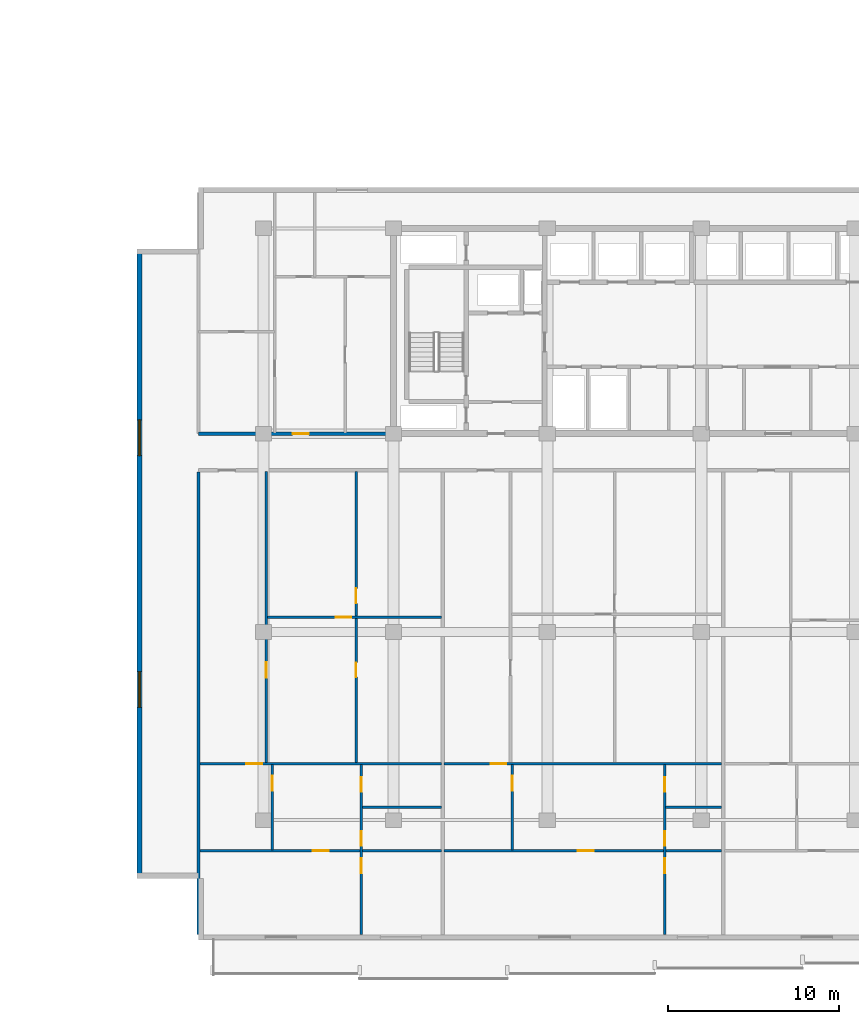
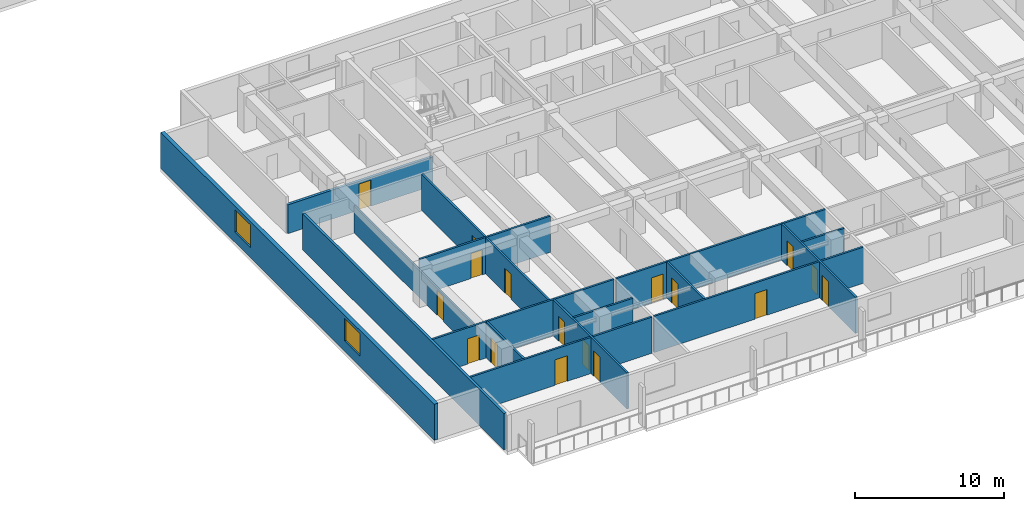
# One storey, part 4 of 23: 17 doors, 16 walls, 2 windows, 19 openings.
"""IFC4 building model written with IfcOpenShell, lengths in metres."""

from ifc_helpers import new_model, si_unit, direction, frame, frame_2d, origin, place, context, subcontext, project, spatial, rectangle, extrude, material, layer, layer_set, type_object, element, fill, save


model = new_model("IFC4")

# Units and contexts
model_context = context("Model", 3, precision=1e-05, world=origin(), true_north=direction((0.0, 1.0)))
body_context = subcontext(model_context, "Body", "Model", "MODEL_VIEW")
ifc_project = project(units=[si_unit("LENGTHUNIT", "METRE"), si_unit("AREAUNIT", "SQUARE_METRE"), si_unit("VOLUMEUNIT", "CUBIC_METRE"), si_unit("PLANEANGLEUNIT", "RADIAN"), si_unit("MASSUNIT", "GRAM", prefix="KILO")], contexts=[model_context])

# Site, building, storey
site_placement = place(None, origin())
site = spatial("IfcSite", under=ifc_project, at=site_placement, CompositionType="ELEMENT")
building_placement = place(site_placement, origin())
building = spatial("IfcBuilding", under=site, at=building_placement, Name="Korimba Cascade Residences", CompositionType="ELEMENT")
storey_placement = place(building_placement, frame((0.0, 0.0, 37.0)))
storey = spatial("IfcBuildingStorey", under=building, at=storey_placement, Name="L09", CompositionType="ELEMENT", Elevation=37.0)

# Wall, openings, windows
ifc_material_1 = material(Name="Precast concrete C40/50", Category="concrete")
ifc_layer_1 = layer(ifc_material_1, 0.300048828125)
ifc_layer_set_1 = layer_set([ifc_layer_1], Name="Precast concrete C40/50")
wall_type_1 = type_object("IfcWallType", Name="EW-STONE-300", PredefinedType="STANDARD", material=ifc_layer_set_1)
wall_1_placement = place(storey_placement, frame((67.25, 29.199951171875, 0.0), z_axis=(0.0, 0.0, 1.0), x_axis=(0.0, -1.0, 0.0)))
wall_1 = element("IfcWall", 1, at=wall_1_placement, inside=storey, type_object=wall_type_1, Name="L09 T2 Perimeter Stone Wall E09", PredefinedType="STANDARD", context=body_context, shape_type="SweptSolid", body=[
    extrude(rectangle(XDim=36.800048828125, YDim=0.300048828125, at=frame_2d((18.39990234375, 0.0))), origin(), (0.0, 0.0, 1.0), 2.969970703125),
])
opening_1_placement = place(wall_1_placement, frame((9.989990234375, 0.0, 0.85009765625)))
opening_1 = element("IfcOpeningElement", 2, at=opening_1_placement, cuts=wall_1, Name="Opening W-03", PredefinedType="OPENING", context=body_context, shape_type="SweptSolid", body=[
    extrude(rectangle(XDim=2.10009765625, YDim=1.85009765625, at=frame_2d((1.050048828125, 0.925048828125))), frame((0.0, 0.16015625, 0.0), z_axis=(0.0, -1.0, 0.0), x_axis=(1.0, 0.0, 0.0)), (0.0, 0.0, 1.0), 0.320068359375),
])
opening_2_placement = place(wall_1_placement, frame((24.7099609375, 0.0, 0.85009765625)))
opening_2 = element("IfcOpeningElement", 3, at=opening_2_placement, cuts=wall_1, Name="Opening W-03", PredefinedType="OPENING", context=body_context, shape_type="SweptSolid", body=[
    extrude(rectangle(XDim=2.10009765625, YDim=1.85009765625, at=frame_2d((1.050048828125, 0.925048828125))), frame((0.0, 0.16015625, 0.0), z_axis=(0.0, -1.0, 0.0), x_axis=(1.0, 0.0, 0.0)), (0.0, 0.0, 1.0), 0.320068359375),
])
ifc_material_2 = material(Name="Double-Glazed Aluminium Window", Category="aluminium")
window_type = type_object("IfcWindowType", Name="WIN-CRN-2100", PartitioningType="DOUBLE_PANEL_HORIZONTAL", PredefinedType="WINDOW", material=ifc_material_2)
window_1_placement = place(opening_1_placement, origin())
window_1 = element("IfcWindow", 4, at=window_1_placement, inside=storey, type_object=window_type, Name="L09 T2 End View Window 9.1", OverallHeight=1.85009765625, OverallWidth=2.10009765625, PartitioningType="DOUBLE_PANEL_HORIZONTAL", PredefinedType="WINDOW", context=body_context, shape_type="SweptSolid", body=[
    extrude(rectangle(XDim=2.10009765625, YDim=1.85009765625, at=frame_2d((1.050048828125, 0.925048828125))), frame((0.0, 0.030029296875, 0.0), z_axis=(0.0, -1.0, 0.0), x_axis=(1.0, 0.0, 0.0)), (0.0, 0.0, 1.0), 0.06005859375),
])
fill(opening_1, window_1)
window_2_placement = place(opening_2_placement, origin())
window_2 = element("IfcWindow", 5, at=window_2_placement, inside=storey, type_object=window_type, Name="L09 T2 End View Window 9.2", OverallHeight=1.85009765625, OverallWidth=2.10009765625, PartitioningType="DOUBLE_PANEL_HORIZONTAL", PredefinedType="WINDOW", context=body_context, shape_type="SweptSolid", body=[
    extrude(rectangle(XDim=2.10009765625, YDim=1.85009765625, at=frame_2d((1.050048828125, 0.925048828125))), frame((0.0, 0.030029296875, 0.0), z_axis=(0.0, -1.0, 0.0), x_axis=(1.0, 0.0, 0.0)), (0.0, 0.0, 1.0), 0.06005859375),
])
fill(opening_2, window_2)

# Wall, opening, door
ifc_layer_2 = layer(ifc_material_1, 0.199951171875)
ifc_layer_set_2 = layer_set([ifc_layer_2], Name="Precast concrete C40/50")
wall_type_2 = type_object("IfcWallType", Name="WAL-IT-200", PredefinedType="PARTITIONING", material=ifc_layer_set_2)
wall_2_placement = place(storey_placement, frame((70.699951171875, 18.39990234375, 0.0), z_axis=(0.0, 0.0, 1.0), x_axis=(1.0, 0.0, 0.0)))
wall_2 = element("IfcWall", 6, at=wall_2_placement, inside=storey, type_object=wall_type_2, Name="L09 Partition Wall WAL-L09-T2-FW-S", PredefinedType="PARTITIONING", context=body_context, shape_type="SweptSolid", body=[
    extrude(rectangle(XDim=11.25, YDim=0.199951171875, at=frame_2d((5.625, 0.0))), origin(), (0.0, 0.0, 1.0), 2.3701171875),
])
opening_3_placement = place(wall_2_placement, frame((5.50634765625, 0.0, 0.0)))
opening_3 = element("IfcOpeningElement", 7, at=opening_3_placement, cuts=wall_2, Name="Opening D-UN1", PredefinedType="OPENING", context=body_context, shape_type="SweptSolid", body=[
    extrude(rectangle(XDim=0.949951171875, YDim=2.14990234375, at=frame_2d((0.47509765625, 1.074951171875))), frame((0.0, 0.10986328125, 0.0), z_axis=(0.0, -1.0, 0.0), x_axis=(1.0, 0.0, 0.0)), (0.0, 0.0, 1.0), 0.219970703125),
])
ifc_material_3 = material(Name="Fire-Rated Hardwood Apartment Entrance Door", Category="wood")
door_type_1 = type_object("IfcDoorType", Name="DR-FD60-950", OperationType="NOTDEFINED", PredefinedType="DOOR", material=ifc_material_3)
door_1_placement = place(opening_3_placement, origin())
door_1 = element("IfcDoor", 8, at=door_1_placement, inside=storey, type_object=door_type_1, Name="L09-T2-FW Entrance Door", OperationType="SINGLE_SWING_RIGHT", OverallHeight=2.14990234375, OverallWidth=0.949951171875, PredefinedType="DOOR", context=body_context, shape_type="SweptSolid", body=[
    extrude(rectangle(XDim=0.949951171875, YDim=2.14990234375, at=frame_2d((0.47509765625, 1.074951171875))), frame((0.0, 0.02490234375, 0.0), z_axis=(0.0, -1.0, 0.0), x_axis=(1.0, 0.0, 0.0)), (0.0, 0.0, 1.0), 0.050048828125),
])
fill(opening_3, door_1)

# Wall
wall_3_placement = place(storey_placement, frame((70.699951171875, -10.89990234375, 0.0), z_axis=(0.0, 0.0, 1.0), x_axis=(0.0, 1.0, 0.0)))
element("IfcWall", 9, at=wall_3_placement, inside=storey, type_object=wall_type_2, Name="L09 Partition Wall WAL-L09-T2-BNDWL", PredefinedType="PARTITIONING", context=body_context, shape_type="SweptSolid", body=[
    extrude(rectangle(XDim=27.06982421875, YDim=0.199951171875, at=frame_2d((13.534912109375, 0.0))), origin(), (0.0, 0.0, 1.0), 2.969970703125),
])

# Wall, openings, doors
ifc_material_4 = material(Name="Insulated Acoustic Stud Partition", Category="gypsum")
ifc_layer_3 = layer(ifc_material_4, 0.14990234375)
ifc_layer_set_3 = layer_set([ifc_layer_3], Name="Insulated Acoustic Stud Partition")
wall_type_3 = type_object("IfcWallType", Name="WAL-PART-150", PredefinedType="PARTITIONING", material=ifc_layer_set_3)
wall_4_placement = place(storey_placement, frame((79.9130859375, -0.860107421875, 0.0), z_axis=(0.0, 0.0, 1.0), x_axis=(0.0, 1.0, 0.0)))
wall_4 = element("IfcWall", 10, at=wall_4_placement, inside=storey, type_object=wall_type_3, Name="L09 Partition Wall WAL-L09-T2-U01-FMV", PredefinedType="PARTITIONING", context=body_context, shape_type="SweptSolid", body=[
    extrude(rectangle(XDim=17.050048828125, YDim=0.14990234375, at=frame_2d((8.52490234375, 0.0))), origin(), (0.0, 0.0, 1.0), 2.969970703125),
])
opening_4_placement = place(wall_4_placement, frame((5.026123046875, 0.0, 0.0)))
opening_4 = element("IfcOpeningElement", 11, at=opening_4_placement, cuts=wall_4, Name="Opening D-BT1", PredefinedType="OPENING", context=body_context, shape_type="SweptSolid", body=[
    extrude(rectangle(XDim=0.840087890625, YDim=2.0400390625, at=frame_2d((0.419921875, 1.02001953125))), frame((0.0, 0.0849609375, 0.0), z_axis=(0.0, -1.0, 0.0), x_axis=(1.0, 0.0, 0.0)), (0.0, 0.0, 1.0), 0.169921875),
])
opening_5_placement = place(wall_4_placement, frame((9.338623046875, 0.0, 0.0)))
opening_5 = element("IfcOpeningElement", 12, at=opening_5_placement, cuts=wall_4, Name="Opening D-IN2", PredefinedType="OPENING", context=body_context, shape_type="SweptSolid", body=[
    extrude(rectangle(XDim=0.8798828125, YDim=2.06005859375, at=frame_2d((0.43994140625, 1.030029296875))), frame((0.0, 0.0849609375, 0.0), z_axis=(0.0, -1.0, 0.0), x_axis=(1.0, 0.0, 0.0)), (0.0, 0.0, 1.0), 0.169921875),
])
ifc_material_5 = material(Name="Moisture-Resistant Bathroom Timber Door", Category="wood")
door_type_2 = type_object("IfcDoorType", Name="DR-INT-850", OperationType="NOTDEFINED", PredefinedType="DOOR", material=ifc_material_5)
door_2_placement = place(opening_4_placement, origin())
door_2 = element("IfcDoor", 13, at=door_2_placement, inside=storey, type_object=door_type_2, Name="L09-T2-U01 Wardrobe Door", OperationType="SINGLE_SWING_LEFT", OverallHeight=2.0400390625, OverallWidth=0.840087890625, PredefinedType="DOOR", context=body_context, shape_type="SweptSolid", body=[
    extrude(rectangle(XDim=0.840087890625, YDim=2.0400390625, at=frame_2d((0.419921875, 1.02001953125))), frame((0.0, 0.02490234375, 0.0), z_axis=(0.0, -1.0, 0.0), x_axis=(1.0, 0.0, 0.0)), (0.0, 0.0, 1.0), 0.050048828125),
])
fill(opening_4, door_2)
ifc_material_6 = material(Name="Acoustic Timber Bedroom Door", Category="wood")
door_type_3 = type_object("IfcDoorType", Name="DR-INT-880", OperationType="NOTDEFINED", PredefinedType="DOOR", material=ifc_material_6)
door_3_placement = place(opening_5_placement, origin())
door_3 = element("IfcDoor", 14, at=door_3_placement, inside=storey, type_object=door_type_3, Name="L09-T2-U01 Music Lounge Door", OperationType="SINGLE_SWING_RIGHT", OverallHeight=2.06005859375, OverallWidth=0.8798828125, PredefinedType="DOOR", context=body_context, shape_type="SweptSolid", body=[
    extrude(rectangle(XDim=0.8798828125, YDim=2.06005859375, at=frame_2d((0.43994140625, 1.030029296875))), frame((0.0, 0.02490234375, 0.0), z_axis=(0.0, -1.0, 0.0), x_axis=(1.0, 0.0, 0.0)), (0.0, 0.0, 1.0), 0.050048828125),
])
fill(opening_5, door_3)

# Wall, opening, door
wall_5_placement = place(storey_placement, frame((74.72998046875, 7.6650390625, 0.0), z_axis=(0.0, 0.0, 1.0), x_axis=(1.0, 0.0, 0.0)))
wall_5 = element("IfcWall", 15, at=wall_5_placement, inside=storey, type_object=wall_type_3, Name="L09 Partition Wall WAL-L09-T2-U01-FMH", PredefinedType="PARTITIONING", context=body_context, shape_type="SweptSolid", body=[
    extrude(rectangle(XDim=10.166015625, YDim=0.14990234375, at=frame_2d((5.0830078125, 0.0))), origin(), (0.0, 0.0, 1.0), 2.969970703125),
])
opening_6_placement = place(wall_5_placement, frame((4.00830078125, 0.0, 0.0)))
opening_6 = element("IfcOpeningElement", 16, at=opening_6_placement, cuts=wall_5, Name="Opening D-IN2", PredefinedType="OPENING", context=body_context, shape_type="SweptSolid", body=[
    extrude(rectangle(XDim=0.8798828125, YDim=2.06005859375, at=frame_2d((0.43994140625, 1.030029296875))), frame((0.0, 0.0849609375, 0.0), z_axis=(0.0, -1.0, 0.0), x_axis=(1.0, 0.0, 0.0)), (0.0, 0.0, 1.0), 0.169921875),
])
door_4_placement = place(opening_6_placement, origin())
door_4 = element("IfcDoor", 17, at=door_4_placement, inside=storey, type_object=door_type_3, Name="L09-T2-U01 Library Salon Door", OperationType="SINGLE_SWING_LEFT", OverallHeight=2.06005859375, OverallWidth=0.8798828125, PredefinedType="DOOR", context=body_context, shape_type="SweptSolid", body=[
    extrude(rectangle(XDim=0.8798828125, YDim=2.06005859375, at=frame_2d((0.43994140625, 1.030029296875))), frame((0.0, 0.02490234375, 0.0), z_axis=(0.0, -1.0, 0.0), x_axis=(1.0, 0.0, 0.0)), (0.0, 0.0, 1.0), 0.050048828125),
])
fill(opening_6, door_4)

wall_6_placement = place(storey_placement, frame((74.669921875, -0.860107421875, 0.0), z_axis=(0.0, 0.0, 1.0), x_axis=(0.0, 1.0, 0.0)))
wall_6 = element("IfcWall", 18, at=wall_6_placement, inside=storey, type_object=wall_type_3, Name="L09 Partition Wall WAL-L09-T2-U01-FV", PredefinedType="PARTITIONING", context=body_context, shape_type="SweptSolid", body=[
    extrude(rectangle(XDim=17.050048828125, YDim=0.14990234375, at=frame_2d((8.52490234375, 0.0))), origin(), (0.0, 0.0, 1.0), 2.219970703125),
])
opening_7_placement = place(wall_6_placement, frame((4.999755859375, 0.0, 0.0)))
opening_7 = element("IfcOpeningElement", 19, at=opening_7_placement, cuts=wall_6, Name="Opening D-IN2", PredefinedType="OPENING", context=body_context, shape_type="SweptSolid", body=[
    extrude(rectangle(XDim=0.8798828125, YDim=2.06005859375, at=frame_2d((0.43994140625, 1.030029296875))), frame((0.0, 0.0849609375, 0.0), z_axis=(0.0, -1.0, 0.0), x_axis=(1.0, 0.0, 0.0)), (0.0, 0.0, 1.0), 0.169921875),
])
door_5_placement = place(opening_7_placement, origin())
door_5 = element("IfcDoor", 20, at=door_5_placement, inside=storey, type_object=door_type_3, Name="L09-T2-U01 Media Lounge Door", OperationType="SINGLE_SWING_RIGHT", OverallHeight=2.06005859375, OverallWidth=0.8798828125, PredefinedType="DOOR", context=body_context, shape_type="SweptSolid", body=[
    extrude(rectangle(XDim=0.8798828125, YDim=2.06005859375, at=frame_2d((0.43994140625, 1.030029296875))), frame((0.0, 0.02490234375, 0.0), z_axis=(0.0, -1.0, 0.0), x_axis=(1.0, 0.0, 0.0)), (0.0, 0.0, 1.0), 0.050048828125),
])
fill(opening_7, door_5)

wall_7_placement = place(storey_placement, frame((75.02001953125, -5.93994140625, 0.0), z_axis=(0.0, 0.0, 1.0), x_axis=(0.0, 1.0, 0.0)))
wall_7 = element("IfcWall", 21, at=wall_7_placement, inside=storey, type_object=wall_type_3, Name="L09 Partition Wall WAL-L09-T2-U01-VDIN", PredefinedType="PARTITIONING", context=body_context, shape_type="SweptSolid", body=[
    extrude(rectangle(XDim=5.0, YDim=0.14990234375, at=frame_2d((2.5, 0.0))), origin(), (0.0, 0.0, 1.0), 2.969970703125),
])
opening_8_placement = place(wall_7_placement, frame((3.454345703125, 0.0, 0.0)))
opening_8 = element("IfcOpeningElement", 22, at=opening_8_placement, cuts=wall_7, Name="Opening D-IN2", PredefinedType="OPENING", context=body_context, shape_type="SweptSolid", body=[
    extrude(rectangle(XDim=0.8798828125, YDim=2.06005859375, at=frame_2d((0.43994140625, 1.030029296875))), frame((0.0, 0.0849609375, 0.0), z_axis=(0.0, -1.0, 0.0), x_axis=(1.0, 0.0, 0.0)), (0.0, 0.0, 1.0), 0.169921875),
])
door_6_placement = place(opening_8_placement, origin())
door_6 = element("IfcDoor", 23, at=door_6_placement, inside=storey, type_object=door_type_3, Name="L09-T2-U01 Dining Room Door", OperationType="SINGLE_SWING_LEFT", OverallHeight=2.06005859375, OverallWidth=0.8798828125, PredefinedType="DOOR", context=body_context, shape_type="SweptSolid", body=[
    extrude(rectangle(XDim=0.8798828125, YDim=2.06005859375, at=frame_2d((0.43994140625, 1.030029296875))), frame((0.0, 0.02490234375, 0.0), z_axis=(0.0, -1.0, 0.0), x_axis=(1.0, 0.0, 0.0)), (0.0, 0.0, 1.0), 0.050048828125),
])
fill(opening_8, door_6)

# Wall
wall_8_placement = place(storey_placement, frame((80.280029296875, -3.43994140625, 0.0), z_axis=(0.0, 0.0, 1.0), x_axis=(1.0, 0.0, 0.0)))
element("IfcWall", 24, at=wall_8_placement, inside=storey, type_object=wall_type_3, Name="L09 Partition Wall WAL-L09-T2-U01-BLDIV", PredefinedType="PARTITIONING", context=body_context, shape_type="SweptSolid", body=[
    extrude(rectangle(XDim=4.615966796875, YDim=0.14990234375, at=frame_2d((2.30810546875, 0.0))), origin(), (0.0, 0.0, 1.0), 2.969970703125),
])

# Wall, openings, doors
wall_9_placement = place(storey_placement, frame((80.219970703125, -10.89990234375, 0.0), z_axis=(0.0, 0.0, 1.0), x_axis=(0.0, 1.0, 0.0)))
wall_9 = element("IfcWall", 25, at=wall_9_placement, inside=storey, type_object=wall_type_3, Name="L09 Partition Wall WAL-L09-T2-U01-V1", PredefinedType="PARTITIONING", context=body_context, shape_type="SweptSolid", body=[
    extrude(rectangle(XDim=9.9599609375, YDim=0.14990234375, at=frame_2d((4.97998046875, 0.0))), origin(), (0.0, 0.0, 1.0), 2.969970703125),
])
opening_9_placement = place(wall_9_placement, frame((5.199951171875, 0.0, 0.0)))
opening_9 = element("IfcOpeningElement", 26, at=opening_9_placement, cuts=wall_9, Name="Opening D-BT1", PredefinedType="OPENING", context=body_context, shape_type="SweptSolid", body=[
    extrude(rectangle(XDim=0.840087890625, YDim=2.0400390625, at=frame_2d((0.419921875, 1.02001953125))), frame((0.0, 0.0849609375, 0.0), z_axis=(0.0, -1.0, 0.0), x_axis=(1.0, 0.0, 0.0)), (0.0, 0.0, 1.0), 0.169921875),
])
opening_10_placement = place(wall_9_placement, frame((8.359130859375, 0.0, 0.0)))
opening_10 = element("IfcOpeningElement", 27, at=opening_10_placement, cuts=wall_9, Name="Opening D-BT1", PredefinedType="OPENING", context=body_context, shape_type="SweptSolid", body=[
    extrude(rectangle(XDim=0.840087890625, YDim=2.0400390625, at=frame_2d((0.419921875, 1.02001953125))), frame((0.0, 0.0849609375, 0.0), z_axis=(0.0, -1.0, 0.0), x_axis=(1.0, 0.0, 0.0)), (0.0, 0.0, 1.0), 0.169921875),
])
opening_11_placement = place(wall_9_placement, frame((3.60009765625, 0.0, 0.0)))
opening_11 = element("IfcOpeningElement", 28, at=opening_11_placement, cuts=wall_9, Name="Opening D-IN2", PredefinedType="OPENING", context=body_context, shape_type="SweptSolid", body=[
    extrude(rectangle(XDim=0.8798828125, YDim=2.06005859375, at=frame_2d((0.43994140625, 1.030029296875))), frame((0.0, 0.0849609375, 0.0), z_axis=(0.0, -1.0, 0.0), x_axis=(1.0, 0.0, 0.0)), (0.0, 0.0, 1.0), 0.169921875),
])
door_7_placement = place(opening_9_placement, origin())
door_7 = element("IfcDoor", 29, at=door_7_placement, inside=storey, type_object=door_type_2, Name="L09-T2-U01 Bathroom Door", OperationType="SINGLE_SWING_RIGHT", OverallHeight=2.0400390625, OverallWidth=0.840087890625, PredefinedType="DOOR", context=body_context, shape_type="SweptSolid", body=[
    extrude(rectangle(XDim=0.840087890625, YDim=2.0400390625, at=frame_2d((0.419921875, 1.02001953125))), frame((0.0, 0.02490234375, 0.0), z_axis=(0.0, -1.0, 0.0), x_axis=(1.0, 0.0, 0.0)), (0.0, 0.0, 1.0), 0.050048828125),
])
fill(opening_9, door_7)
door_8_placement = place(opening_10_placement, origin())
door_8 = element("IfcDoor", 30, at=door_8_placement, inside=storey, type_object=door_type_2, Name="L09-T2-U01 Laundry Door", OperationType="SINGLE_SWING_LEFT", OverallHeight=2.0400390625, OverallWidth=0.840087890625, PredefinedType="DOOR", context=body_context, shape_type="SweptSolid", body=[
    extrude(rectangle(XDim=0.840087890625, YDim=2.0400390625, at=frame_2d((0.419921875, 1.02001953125))), frame((0.0, 0.02490234375, 0.0), z_axis=(0.0, -1.0, 0.0), x_axis=(1.0, 0.0, 0.0)), (0.0, 0.0, 1.0), 0.050048828125),
])
fill(opening_10, door_8)
door_9_placement = place(opening_11_placement, origin())
door_9 = element("IfcDoor", 31, at=door_9_placement, inside=storey, type_object=door_type_3, Name="L09-T2-U01 Bedroom 1 Door", OperationType="SINGLE_SWING_RIGHT", OverallHeight=2.06005859375, OverallWidth=0.8798828125, PredefinedType="DOOR", context=body_context, shape_type="SweptSolid", body=[
    extrude(rectangle(XDim=0.8798828125, YDim=2.06005859375, at=frame_2d((0.43994140625, 1.030029296875))), frame((0.0, 0.02490234375, 0.0), z_axis=(0.0, -1.0, 0.0), x_axis=(1.0, 0.0, 0.0)), (0.0, 0.0, 1.0), 0.050048828125),
])
fill(opening_11, door_9)

# Wall, opening, door
wall_10_placement = place(storey_placement, frame((70.780029296875, -0.89990234375, 0.0), z_axis=(0.0, 0.0, 1.0), x_axis=(1.0, 0.0, 0.0)))
wall_10 = element("IfcWall", 32, at=wall_10_placement, inside=storey, type_object=wall_type_3, Name="L09 Partition Wall WAL-L09-T2-U01-MW", PredefinedType="PARTITIONING", context=body_context, shape_type="SweptSolid", body=[
    extrude(rectangle(XDim=14.115966796875, YDim=0.14990234375, at=frame_2d((7.05810546875, 0.0))), origin(), (0.0, 0.0, 1.0), 2.969970703125),
])
opening_12_placement = place(wall_10_placement, frame((2.719970703125, 0.0, 0.0)))
opening_12 = element("IfcOpeningElement", 33, at=opening_12_placement, cuts=wall_10, Name="Opening D-IN1", PredefinedType="OPENING", context=body_context, shape_type="SweptSolid", body=[
    extrude(rectangle(XDim=0.919921875, YDim=2.080078125, at=frame_2d((0.4599609375, 1.0400390625))), frame((0.0, 0.0849609375, 0.0), z_axis=(0.0, -1.0, 0.0), x_axis=(1.0, 0.0, 0.0)), (0.0, 0.0, 1.0), 0.169921875),
])
ifc_material_7 = material(Name="Acoustic Timber Living Door", Category="wood")
door_type_4 = type_object("IfcDoorType", Name="DR-INT-920", OperationType="NOTDEFINED", PredefinedType="DOOR", material=ifc_material_7)
door_10_placement = place(opening_12_placement, origin())
door_10 = element("IfcDoor", 34, at=door_10_placement, inside=storey, type_object=door_type_4, Name="L09-T2-U01 Kitchen Archway Door", OperationType="SINGLE_SWING_LEFT", OverallHeight=2.080078125, OverallWidth=0.919921875, PredefinedType="DOOR", context=body_context, shape_type="SweptSolid", body=[
    extrude(rectangle(XDim=0.919921875, YDim=2.080078125, at=frame_2d((0.4599609375, 1.0400390625))), frame((0.0, 0.02490234375, 0.0), z_axis=(0.0, -1.0, 0.0), x_axis=(1.0, 0.0, 0.0)), (0.0, 0.0, 1.0), 0.050048828125),
])
fill(opening_12, door_10)

wall_11_placement = place(storey_placement, frame((70.780029296875, -6.0, 0.0), z_axis=(0.0, 0.0, 1.0), x_axis=(1.0, 0.0, 0.0)))
wall_11 = element("IfcWall", 35, at=wall_11_placement, inside=storey, type_object=wall_type_3, Name="L09 Partition Wall WAL-L09-T2-U01-HZ", PredefinedType="PARTITIONING", context=body_context, shape_type="SweptSolid", body=[
    extrude(rectangle(XDim=14.115966796875, YDim=0.14990234375, at=frame_2d((7.05810546875, 0.0))), origin(), (0.0, 0.0, 1.0), 2.969970703125),
])
opening_13_placement = place(wall_11_placement, frame((6.587890625, 0.0, 0.0)))
opening_13 = element("IfcOpeningElement", 36, at=opening_13_placement, cuts=wall_11, Name="Opening D-IN0", PredefinedType="OPENING", context=body_context, shape_type="SweptSolid", body=[
    extrude(rectangle(XDim=0.93994140625, YDim=2.10009765625, at=frame_2d((0.469970703125, 1.050048828125))), frame((0.0, 0.0849609375, 0.0), z_axis=(0.0, -1.0, 0.0), x_axis=(1.0, 0.0, 0.0)), (0.0, 0.0, 1.0), 0.169921875),
])
ifc_material_8 = material(Name="Acoustic Timber Living Archway Door", Category="wood")
door_type_5 = type_object("IfcDoorType", Name="DR-INT-950", OperationType="NOTDEFINED", PredefinedType="DOOR", material=ifc_material_8)
door_11_placement = place(opening_13_placement, origin())
door_11 = element("IfcDoor", 37, at=door_11_placement, inside=storey, type_object=door_type_5, Name="L09-T2-U01 Living Archway Door", OperationType="SINGLE_SWING_RIGHT", OverallHeight=2.10009765625, OverallWidth=0.93994140625, PredefinedType="DOOR", context=body_context, shape_type="SweptSolid", body=[
    extrude(rectangle(XDim=0.93994140625, YDim=2.10009765625, at=frame_2d((0.469970703125, 1.050048828125))), frame((0.0, 0.02490234375, 0.0), z_axis=(0.0, -1.0, 0.0), x_axis=(1.0, 0.0, 0.0)), (0.0, 0.0, 1.0), 0.050048828125),
])
fill(opening_13, door_11)

wall_12_placement = place(storey_placement, frame((89.0458984375, -5.93994140625, 0.0), z_axis=(0.0, 0.0, 1.0), x_axis=(0.0, 1.0, 0.0)))
wall_12 = element("IfcWall", 38, at=wall_12_placement, inside=storey, type_object=wall_type_3, Name="L09 Partition Wall WAL-L09-T2-U02-VDIN", PredefinedType="PARTITIONING", context=body_context, shape_type="SweptSolid", body=[
    extrude(rectangle(XDim=5.0, YDim=0.14990234375, at=frame_2d((2.5, 0.0))), origin(), (0.0, 0.0, 1.0), 2.969970703125),
])
opening_14_placement = place(wall_12_placement, frame((3.454345703125, 0.0, 0.0)))
opening_14 = element("IfcOpeningElement", 39, at=opening_14_placement, cuts=wall_12, Name="Opening D-IN2", PredefinedType="OPENING", context=body_context, shape_type="SweptSolid", body=[
    extrude(rectangle(XDim=0.8798828125, YDim=2.06005859375, at=frame_2d((0.43994140625, 1.030029296875))), frame((0.0, 0.0849609375, 0.0), z_axis=(0.0, -1.0, 0.0), x_axis=(1.0, 0.0, 0.0)), (0.0, 0.0, 1.0), 0.169921875),
])
door_12_placement = place(opening_14_placement, origin())
door_12 = element("IfcDoor", 40, at=door_12_placement, inside=storey, type_object=door_type_3, Name="L09-T2-U02 Dining Room Door", OperationType="SINGLE_SWING_LEFT", OverallHeight=2.06005859375, OverallWidth=0.8798828125, PredefinedType="DOOR", context=body_context, shape_type="SweptSolid", body=[
    extrude(rectangle(XDim=0.8798828125, YDim=2.06005859375, at=frame_2d((0.43994140625, 1.030029296875))), frame((0.0, 0.02490234375, 0.0), z_axis=(0.0, -1.0, 0.0), x_axis=(1.0, 0.0, 0.0)), (0.0, 0.0, 1.0), 0.050048828125),
])
fill(opening_14, door_12)

# Wall
wall_13_placement = place(storey_placement, frame((98.014892578125, -3.43994140625, 0.0), z_axis=(0.0, 0.0, 1.0), x_axis=(1.0, 0.0, 0.0)))
element("IfcWall", 41, at=wall_13_placement, inside=storey, type_object=wall_type_3, Name="L09 Partition Wall WAL-L09-T2-U02-BLDIV", PredefinedType="PARTITIONING", context=body_context, shape_type="SweptSolid", body=[
    extrude(rectangle(XDim=3.280029296875, YDim=0.14990234375, at=frame_2d((1.64013671875, 0.0))), origin(), (0.0, 0.0, 1.0), 2.969970703125),
])

# Wall, openings, doors
wall_14_placement = place(storey_placement, frame((97.955078125, -10.89990234375, 0.0), z_axis=(0.0, 0.0, 1.0), x_axis=(0.0, 1.0, 0.0)))
wall_14 = element("IfcWall", 42, at=wall_14_placement, inside=storey, type_object=wall_type_3, Name="L09 Partition Wall WAL-L09-T2-U02-V1", PredefinedType="PARTITIONING", context=body_context, shape_type="SweptSolid", body=[
    extrude(rectangle(XDim=9.9599609375, YDim=0.14990234375, at=frame_2d((4.97998046875, 0.0))), origin(), (0.0, 0.0, 1.0), 2.969970703125),
])
opening_15_placement = place(wall_14_placement, frame((5.199951171875, 0.0, 0.0)))
opening_15 = element("IfcOpeningElement", 43, at=opening_15_placement, cuts=wall_14, Name="Opening D-BT1", PredefinedType="OPENING", context=body_context, shape_type="SweptSolid", body=[
    extrude(rectangle(XDim=0.840087890625, YDim=2.0400390625, at=frame_2d((0.419921875, 1.02001953125))), frame((0.0, 0.0849609375, 0.0), z_axis=(0.0, -1.0, 0.0), x_axis=(1.0, 0.0, 0.0)), (0.0, 0.0, 1.0), 0.169921875),
])
opening_16_placement = place(wall_14_placement, frame((8.359130859375, 0.0, 0.0)))
opening_16 = element("IfcOpeningElement", 44, at=opening_16_placement, cuts=wall_14, Name="Opening D-BT1", PredefinedType="OPENING", context=body_context, shape_type="SweptSolid", body=[
    extrude(rectangle(XDim=0.840087890625, YDim=2.0400390625, at=frame_2d((0.419921875, 1.02001953125))), frame((0.0, 0.0849609375, 0.0), z_axis=(0.0, -1.0, 0.0), x_axis=(1.0, 0.0, 0.0)), (0.0, 0.0, 1.0), 0.169921875),
])
opening_17_placement = place(wall_14_placement, frame((3.60009765625, 0.0, 0.0)))
opening_17 = element("IfcOpeningElement", 45, at=opening_17_placement, cuts=wall_14, Name="Opening D-IN2", PredefinedType="OPENING", context=body_context, shape_type="SweptSolid", body=[
    extrude(rectangle(XDim=0.8798828125, YDim=2.06005859375, at=frame_2d((0.43994140625, 1.030029296875))), frame((0.0, 0.0849609375, 0.0), z_axis=(0.0, -1.0, 0.0), x_axis=(1.0, 0.0, 0.0)), (0.0, 0.0, 1.0), 0.169921875),
])
door_13_placement = place(opening_15_placement, origin())
door_13 = element("IfcDoor", 46, at=door_13_placement, inside=storey, type_object=door_type_2, Name="L09-T2-U02 Bathroom Door", OperationType="SINGLE_SWING_RIGHT", OverallHeight=2.0400390625, OverallWidth=0.840087890625, PredefinedType="DOOR", context=body_context, shape_type="SweptSolid", body=[
    extrude(rectangle(XDim=0.840087890625, YDim=2.0400390625, at=frame_2d((0.419921875, 1.02001953125))), frame((0.0, 0.02490234375, 0.0), z_axis=(0.0, -1.0, 0.0), x_axis=(1.0, 0.0, 0.0)), (0.0, 0.0, 1.0), 0.050048828125),
])
fill(opening_15, door_13)
door_14_placement = place(opening_16_placement, origin())
door_14 = element("IfcDoor", 47, at=door_14_placement, inside=storey, type_object=door_type_2, Name="L09-T2-U02 Laundry Door", OperationType="SINGLE_SWING_LEFT", OverallHeight=2.0400390625, OverallWidth=0.840087890625, PredefinedType="DOOR", context=body_context, shape_type="SweptSolid", body=[
    extrude(rectangle(XDim=0.840087890625, YDim=2.0400390625, at=frame_2d((0.419921875, 1.02001953125))), frame((0.0, 0.02490234375, 0.0), z_axis=(0.0, -1.0, 0.0), x_axis=(1.0, 0.0, 0.0)), (0.0, 0.0, 1.0), 0.050048828125),
])
fill(opening_16, door_14)
door_15_placement = place(opening_17_placement, origin())
door_15 = element("IfcDoor", 48, at=door_15_placement, inside=storey, type_object=door_type_3, Name="L09-T2-U02 Bedroom 1 Door", OperationType="SINGLE_SWING_RIGHT", OverallHeight=2.06005859375, OverallWidth=0.8798828125, PredefinedType="DOOR", context=body_context, shape_type="SweptSolid", body=[
    extrude(rectangle(XDim=0.8798828125, YDim=2.06005859375, at=frame_2d((0.43994140625, 1.030029296875))), frame((0.0, 0.02490234375, 0.0), z_axis=(0.0, -1.0, 0.0), x_axis=(1.0, 0.0, 0.0)), (0.0, 0.0, 1.0), 0.050048828125),
])
fill(opening_17, door_15)

# Wall, opening, door
wall_15_placement = place(storey_placement, frame((85.055908203125, -0.89990234375, 0.0), z_axis=(0.0, 0.0, 1.0), x_axis=(1.0, 0.0, 0.0)))
wall_15 = element("IfcWall", 49, at=wall_15_placement, inside=storey, type_object=wall_type_3, Name="L09 Partition Wall WAL-L09-T2-U02-MW", PredefinedType="PARTITIONING", context=body_context, shape_type="SweptSolid", body=[
    extrude(rectangle(XDim=16.239013671875, YDim=0.14990234375, at=frame_2d((8.11962890625, 0.0))), origin(), (0.0, 0.0, 1.0), 2.969970703125),
])
opening_18_placement = place(wall_15_placement, frame((2.719970703125, 0.0, 0.0)))
opening_18 = element("IfcOpeningElement", 50, at=opening_18_placement, cuts=wall_15, Name="Opening D-IN1", PredefinedType="OPENING", context=body_context, shape_type="SweptSolid", body=[
    extrude(rectangle(XDim=0.919921875, YDim=2.080078125, at=frame_2d((0.4599609375, 1.0400390625))), frame((0.0, 0.0849609375, 0.0), z_axis=(0.0, -1.0, 0.0), x_axis=(1.0, 0.0, 0.0)), (0.0, 0.0, 1.0), 0.169921875),
])
door_16_placement = place(opening_18_placement, origin())
door_16 = element("IfcDoor", 51, at=door_16_placement, inside=storey, type_object=door_type_4, Name="L09-T2-U02 Kitchen Archway Door", OperationType="SINGLE_SWING_LEFT", OverallHeight=2.080078125, OverallWidth=0.919921875, PredefinedType="DOOR", context=body_context, shape_type="SweptSolid", body=[
    extrude(rectangle(XDim=0.919921875, YDim=2.080078125, at=frame_2d((0.4599609375, 1.0400390625))), frame((0.0, 0.02490234375, 0.0), z_axis=(0.0, -1.0, 0.0), x_axis=(1.0, 0.0, 0.0)), (0.0, 0.0, 1.0), 0.050048828125),
])
fill(opening_18, door_16)

wall_16_placement = place(storey_placement, frame((85.055908203125, -6.0, 0.0), z_axis=(0.0, 0.0, 1.0), x_axis=(1.0, 0.0, 0.0)))
wall_16 = element("IfcWall", 52, at=wall_16_placement, inside=storey, type_object=wall_type_3, Name="L09 Partition Wall WAL-L09-T2-U02-HZ", PredefinedType="PARTITIONING", context=body_context, shape_type="SweptSolid", body=[
    extrude(rectangle(XDim=16.239013671875, YDim=0.14990234375, at=frame_2d((8.11962890625, 0.0))), origin(), (0.0, 0.0, 1.0), 2.969970703125),
])
opening_19_placement = place(wall_16_placement, frame((7.81298828125, 0.0, 0.0)))
opening_19 = element("IfcOpeningElement", 53, at=opening_19_placement, cuts=wall_16, Name="Opening D-IN0", PredefinedType="OPENING", context=body_context, shape_type="SweptSolid", body=[
    extrude(rectangle(XDim=0.93994140625, YDim=2.10009765625, at=frame_2d((0.469970703125, 1.050048828125))), frame((0.0, 0.0849609375, 0.0), z_axis=(0.0, -1.0, 0.0), x_axis=(1.0, 0.0, 0.0)), (0.0, 0.0, 1.0), 0.169921875),
])
door_17_placement = place(opening_19_placement, origin())
door_17 = element("IfcDoor", 54, at=door_17_placement, inside=storey, type_object=door_type_5, Name="L09-T2-U02 Living Archway Door", OperationType="SINGLE_SWING_RIGHT", OverallHeight=2.10009765625, OverallWidth=0.93994140625, PredefinedType="DOOR", context=body_context, shape_type="SweptSolid", body=[
    extrude(rectangle(XDim=0.93994140625, YDim=2.10009765625, at=frame_2d((0.469970703125, 1.050048828125))), frame((0.0, 0.02490234375, 0.0), z_axis=(0.0, -1.0, 0.0), x_axis=(1.0, 0.0, 0.0)), (0.0, 0.0, 1.0), 0.050048828125),
])
fill(opening_19, door_17)

save(model, "model.ifc")
